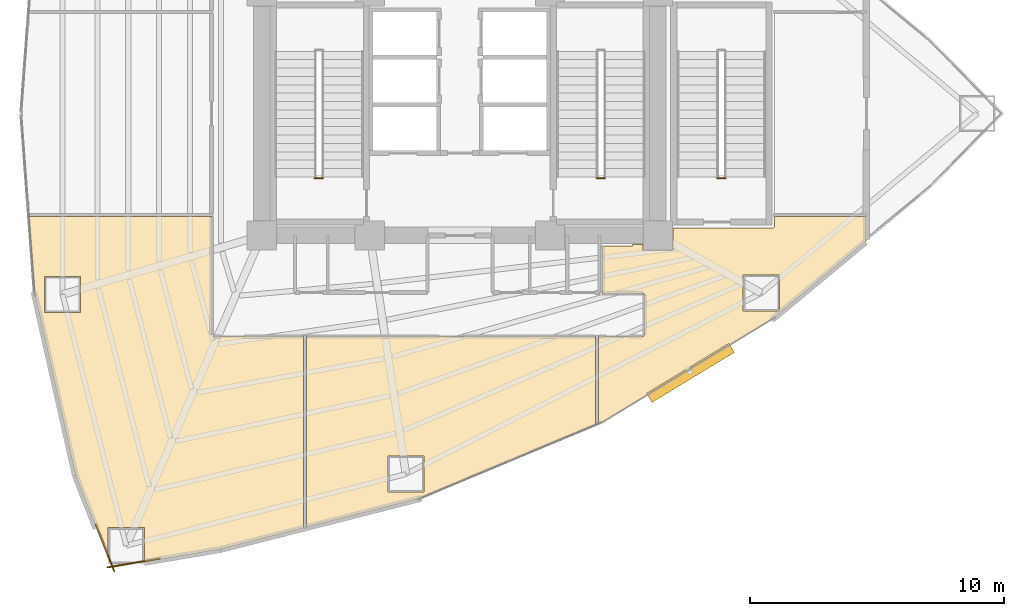
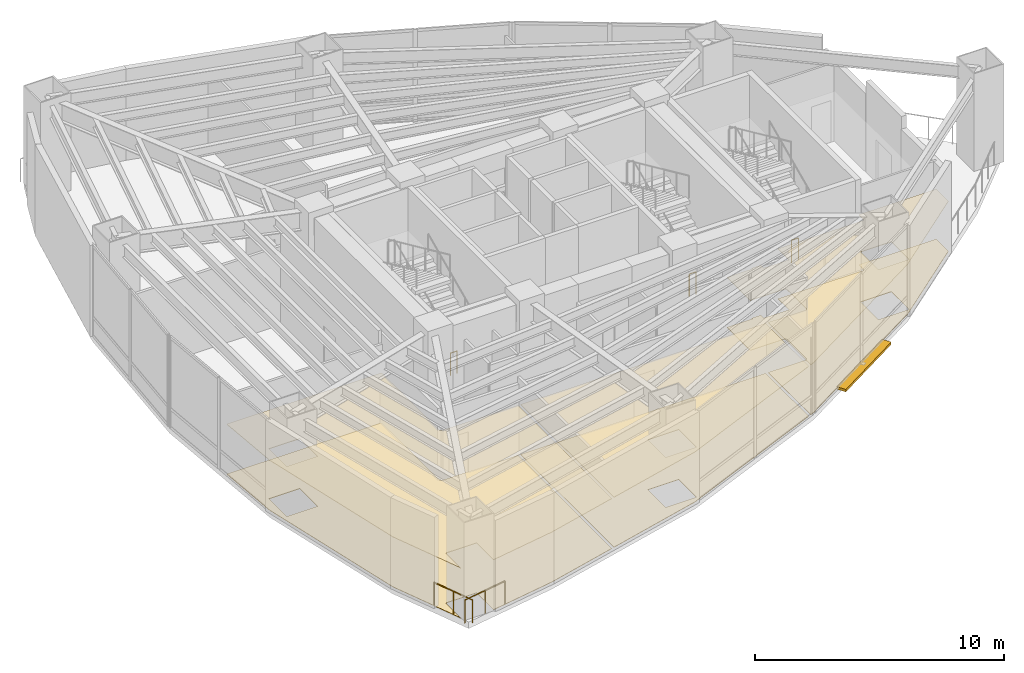
# One storey, part 17 of 18: 6 coverings, 5 railings, 1 shading device.
"""IFC4 building model written with IfcOpenShell, lengths in metres."""

from ifc_helpers import new_model, si_unit, direction, frame, origin, origin_2d, place, context, subcontext, project, spatial, polyline, rectangle, circle, outline, extrude, material, layer, layer_set, type_object, element, save


model = new_model("IFC4")

# Units and contexts
model_context = context("Model", 3, precision=1e-05, world=origin(), true_north=direction((0.0, 1.0)))
body_context = subcontext(model_context, "Body", "Model", "MODEL_VIEW")
ifc_project = project(units=[si_unit("LENGTHUNIT", "METRE"), si_unit("AREAUNIT", "SQUARE_METRE"), si_unit("VOLUMEUNIT", "CUBIC_METRE"), si_unit("PLANEANGLEUNIT", "RADIAN"), si_unit("MASSUNIT", "GRAM", prefix="KILO")], contexts=[model_context])

# Site, building, storey
site_placement = place(None, origin())
site = spatial("IfcSite", under=ifc_project, at=site_placement, CompositionType="ELEMENT")
building_placement = place(site_placement, origin())
building = spatial("IfcBuilding", under=site, at=building_placement, Name="Menara Vayukalpa", CompositionType="ELEMENT")
storey_placement = place(building_placement, frame((0.0, 0.0, 18.0)))
storey = spatial("IfcBuildingStorey", under=building, at=storey_placement, Name="L03", CompositionType="ELEMENT", Elevation=18.0)

# Coverings
ifc_material_1 = material(Name="Mineral Fibre Acoustic Ceiling Tile", Category="masonry")
ifc_layer_1 = layer(ifc_material_1, 0.02490234375)
ifc_layer_set_1 = layer_set([ifc_layer_1], Name="Mineral Fibre Acoustic Ceiling Tile")
covering_type_1 = type_object("IfcCoveringType", Name="COV-CLG1", PredefinedType="CEILING", material=ifc_layer_set_1)
covering_1_placement = place(storey_placement, frame((0.0, 0.0, 2.449951171875)))
element("IfcCovering", 1, at=covering_1_placement, inside=storey, type_object=covering_type_1, Name="L03 Commercial Kitchen and Servery Acoustic Ceiling", PredefinedType="CEILING", context=body_context, shape_type="SweptSolid", body=[
    extrude(outline(polyline([(10.4658203125, 7.744384765625), (10.465576171875, 7.7451171875), (10.46533203125, 7.745849609375), (8.862060546875, 14.871826171875), (8.86181640625, 14.873291015625), (8.632568359375, 17.92919921875), (8.632568359375, 17.93017578125), (8.6328125, 17.93115234375), (8.6328125, 17.93212890625), (8.633056640625, 17.93310546875), (8.63330078125, 17.93408203125), (8.6337890625, 17.934814453125), (8.634521484375, 17.935791015625), (8.635009765625, 17.936279296875), (8.635498046875, 17.93701171875), (8.63623046875, 17.937744140625), (8.63720703125, 17.9384765625), (8.637939453125, 17.93896484375), (8.638916015625, 17.939208984375), (8.6396484375, 17.939697265625), (8.640625, 17.939697265625), (8.6416015625, 17.93994140625), (8.642578125, 17.93994140625), (15.820068359375, 17.93994140625), (15.821044921875, 17.93994140625), (15.822021484375, 17.939697265625), (15.822998046875, 17.939697265625), (15.82373046875, 17.939208984375), (15.82470703125, 17.938720703125), (15.82568359375, 17.938232421875), (15.826416015625, 17.937744140625), (15.8271484375, 17.93701171875), (15.82763671875, 17.936279296875), (15.828369140625, 17.935546875), (15.828857421875, 17.934814453125), (15.8291015625, 17.933837890625), (15.82958984375, 17.932861328125), (15.829833984375, 17.931884765625), (15.830078125, 17.930908203125), (15.830078125, 17.929931640625), (15.830078125, 13.290283203125), (15.830322265625, 13.283203125), (15.831298828125, 13.2763671875), (15.8330078125, 13.269775390625), (15.835205078125, 13.26318359375), (15.838134765625, 13.257080078125), (15.841796875, 13.251220703125), (15.845947265625, 13.24560546875), (15.8505859375, 13.240478515625), (15.85546875, 13.236083984375), (15.861083984375, 13.231689453125), (15.866943359375, 13.228271484375), (15.873291015625, 13.225341796875), (15.879638671875, 13.222900390625), (15.88623046875, 13.22119140625), (15.893310546875, 13.220458984375), (15.900390625, 13.219970703125), (19.429931640625, 13.219970703125), (19.430908203125, 13.219970703125), (19.431884765625, 13.2197265625), (19.432861328125, 13.219482421875), (19.433837890625, 13.21923828125), (19.434814453125, 13.21875), (19.435546875, 13.21826171875), (19.436279296875, 13.2177734375), (19.43701171875, 13.217041015625), (19.437744140625, 13.21630859375), (19.438232421875, 13.215576171875), (19.438720703125, 13.214599609375), (19.439208984375, 13.2138671875), (19.439697265625, 13.212890625), (19.439697265625, 13.2119140625), (19.43994140625, 13.2109375), (19.43994140625, 13.2099609375), (19.43994140625, 5.681396484375), (19.43994140625, 5.680419921875), (19.439697265625, 5.679443359375), (19.439453125, 5.678466796875), (19.439208984375, 5.677490234375), (19.438720703125, 5.676513671875), (19.438232421875, 5.67578125), (19.4375, 5.675048828125), (19.43701171875, 5.67431640625), (19.43603515625, 5.673583984375), (19.435302734375, 5.673095703125), (19.434326171875, 5.672607421875), (19.433349609375, 5.672119140625), (19.4326171875, 5.671875), (16.171875, 4.84033203125), (16.171142578125, 4.840087890625), (13.17529296875, 4.33154296875), (13.17529296875, 5.696044921875), (11.745361328125, 5.696044921875), (11.745361328125, 4.486328125), (10.4658203125, 7.744384765625)]), holes=[polyline([(10.6669921875, 15.586181640625), (9.237060546875, 15.586181640625), (9.237060546875, 14.156005859375), (10.6669921875, 14.156005859375), (10.6669921875, 15.586181640625)])]), origin(), (0.0, 0.0, 1.0), 0.025146484375),
])
covering_2_placement = place(storey_placement, frame((0.0, 0.0, 2.449951171875)))
element("IfcCovering", 2, at=covering_2_placement, inside=storey, type_object=covering_type_1, Name="L03 Auditorium Pre Function Foyer Acoustic Ceiling", PredefinedType="CEILING", context=body_context, shape_type="SweptSolid", body=[
    extrude(outline(polyline([(19.572509765625, 5.70751953125), (19.571533203125, 5.70751953125), (19.570556640625, 5.707275390625), (19.569580078125, 5.707275390625), (19.568603515625, 5.70751953125), (19.567626953125, 5.70751953125), (19.56689453125, 5.707763671875), (19.56591796875, 5.708251953125), (19.565185546875, 5.70849609375), (19.564208984375, 5.708984375), (19.5634765625, 5.709716796875), (19.562744140625, 5.71044921875), (19.562255859375, 5.711181640625), (19.5615234375, 5.7119140625), (19.56103515625, 5.712646484375), (19.560791015625, 5.713623046875), (19.560302734375, 5.714599609375), (19.560302734375, 5.71533203125), (19.56005859375, 5.71630859375), (19.56005859375, 5.71728515625), (19.56005859375, 13.2099609375), (19.56005859375, 13.2109375), (19.560302734375, 13.2119140625), (19.560302734375, 13.212890625), (19.560791015625, 13.2138671875), (19.561279296875, 13.214599609375), (19.561767578125, 13.215576171875), (19.562255859375, 13.21630859375), (19.56298828125, 13.217041015625), (19.563720703125, 13.2177734375), (19.564453125, 13.21826171875), (19.565185546875, 13.21875), (19.566162109375, 13.21923828125), (19.567138671875, 13.219482421875), (19.568115234375, 13.2197265625), (19.569091796875, 13.219970703125), (19.570068359375, 13.219970703125), (30.929931640625, 13.219970703125), (30.930908203125, 13.219970703125), (30.931884765625, 13.2197265625), (30.932861328125, 13.219482421875), (30.933837890625, 13.21923828125), (30.934814453125, 13.21875), (30.935546875, 13.21826171875), (30.936279296875, 13.2177734375), (30.93701171875, 13.217041015625), (30.937744140625, 13.21630859375), (30.938232421875, 13.215576171875), (30.938720703125, 13.214599609375), (30.939208984375, 13.2138671875), (30.939697265625, 13.212890625), (30.939697265625, 13.2119140625), (30.93994140625, 13.2109375), (30.93994140625, 13.2099609375), (30.93994140625, 9.7509765625), (30.93994140625, 9.75), (30.939697265625, 9.7490234375), (30.939697265625, 9.748046875), (30.939208984375, 9.747314453125), (30.938720703125, 9.746337890625), (30.938232421875, 9.74560546875), (30.937744140625, 9.74462890625), (30.93701171875, 9.743896484375), (30.936279296875, 9.743408203125), (30.935546875, 9.74267578125), (30.934814453125, 9.7421875), (30.933837890625, 9.74169921875), (23.972412109375, 6.829833984375), (23.970947265625, 6.829345703125), (19.572509765625, 5.70751953125)]), holes=[polyline([(24.190673828125, 8.51513671875), (22.760498046875, 8.51513671875), (22.760498046875, 7.085205078125), (24.190673828125, 7.085205078125), (24.190673828125, 8.51513671875)])]), origin(), (0.0, 0.0, 1.0), 0.025146484375),
])
covering_3_placement = place(storey_placement, frame((0.0, 0.0, 2.449951171875)))
element("IfcCovering", 3, at=covering_3_placement, inside=storey, type_object=covering_type_1, Name="L03 Executive Seminar Hall Acoustic Ceiling", PredefinedType="CEILING", context=body_context, shape_type="SweptSolid", body=[
    extrude(outline(polyline([(31.072021484375, 9.7998046875), (31.071044921875, 9.799560546875), (31.070068359375, 9.799560546875), (31.069091796875, 9.799560546875), (31.068115234375, 9.7998046875), (31.067138671875, 9.7998046875), (31.066162109375, 9.80029296875), (31.065185546875, 9.80078125), (31.064453125, 9.80126953125), (31.063720703125, 9.8017578125), (31.06298828125, 9.802490234375), (31.062255859375, 9.802978515625), (31.061767578125, 9.803955078125), (31.061279296875, 9.8046875), (31.060791015625, 9.8056640625), (31.060302734375, 9.806640625), (31.060302734375, 9.8076171875), (31.06005859375, 9.80859375), (31.06005859375, 9.8095703125), (31.06005859375, 13.2099609375), (31.06005859375, 13.2109375), (31.060302734375, 13.2119140625), (31.060302734375, 13.212890625), (31.060791015625, 13.2138671875), (31.061279296875, 13.214599609375), (31.061767578125, 13.215576171875), (31.062255859375, 13.21630859375), (31.06298828125, 13.217041015625), (31.063720703125, 13.2177734375), (31.064453125, 13.21826171875), (31.065185546875, 13.21875), (31.066162109375, 13.21923828125), (31.067138671875, 13.219482421875), (31.068115234375, 13.2197265625), (31.069091796875, 13.219970703125), (31.070068359375, 13.219970703125), (32.7998046875, 13.219970703125), (32.806884765625, 13.220458984375), (32.813720703125, 13.22119140625), (32.8203125, 13.222900390625), (32.826904296875, 13.225341796875), (32.8330078125, 13.228271484375), (32.8388671875, 13.231689453125), (32.844482421875, 13.236083984375), (32.849609375, 13.240478515625), (32.85400390625, 13.24560546875), (32.858154296875, 13.251220703125), (32.86181640625, 13.257080078125), (32.86474609375, 13.26318359375), (32.866943359375, 13.269775390625), (32.86865234375, 13.2763671875), (32.86962890625, 13.283203125), (32.8701171875, 13.290283203125), (32.8701171875, 14.849609375), (32.86962890625, 14.856689453125), (32.86865234375, 14.86376953125), (32.866943359375, 14.870361328125), (32.86474609375, 14.876708984375), (32.86181640625, 14.883056640625), (32.858154296875, 14.888916015625), (32.85400390625, 14.89453125), (32.849609375, 14.8994140625), (32.844482421875, 14.904052734375), (32.8388671875, 14.908203125), (32.8330078125, 14.911865234375), (32.826904296875, 14.914794921875), (32.8203125, 14.9169921875), (32.813720703125, 14.918701171875), (32.806884765625, 14.919677734375), (32.7998046875, 14.919921875), (31.219970703125, 14.919921875), (31.218994140625, 14.919921875), (31.218017578125, 14.920166015625), (31.217041015625, 14.92041015625), (31.21630859375, 14.9208984375), (31.21533203125, 14.921142578125), (31.21435546875, 14.921630859375), (31.213623046875, 14.92236328125), (31.212890625, 14.9228515625), (31.21240234375, 14.923583984375), (31.211669921875, 14.92431640625), (31.211181640625, 14.92529296875), (31.210693359375, 14.92626953125), (31.21044921875, 14.927001953125), (31.210205078125, 14.927978515625), (31.2099609375, 14.928955078125), (31.2099609375, 14.929931640625), (31.2099609375, 16.780029296875), (31.2099609375, 16.781005859375), (31.210205078125, 16.781982421875), (31.21044921875, 16.782958984375), (31.210693359375, 16.78369140625), (31.211181640625, 16.78466796875), (31.211669921875, 16.78564453125), (31.21240234375, 16.786376953125), (31.212890625, 16.787109375), (31.213623046875, 16.78759765625), (31.21435546875, 16.788330078125), (31.21533203125, 16.788818359375), (31.21630859375, 16.789306640625), (31.217041015625, 16.78955078125), (31.218017578125, 16.789794921875), (31.218994140625, 16.7900390625), (31.219970703125, 16.7900390625), (32.389892578125, 16.7900390625), (32.389892578125, 16.85009765625), (32.81005859375, 16.85009765625), (32.81005859375, 16.610107421875), (33.989990234375, 16.610107421875), (33.989990234375, 17.5), (37.9296875, 17.5), (37.936767578125, 17.50048828125), (37.943603515625, 17.501220703125), (37.9501953125, 17.5029296875), (37.956787109375, 17.50537109375), (37.962890625, 17.50830078125), (37.96875, 17.51171875), (37.974609375, 17.51611328125), (37.9794921875, 17.5205078125), (37.98388671875, 17.525390625), (37.98828125, 17.53125), (37.99169921875, 17.537109375), (37.99462890625, 17.543212890625), (37.9970703125, 17.5498046875), (37.998779296875, 17.556396484375), (37.99951171875, 17.563232421875), (38.0, 17.5703125), (38.0, 17.929931640625), (38.0, 17.930908203125), (38.000244140625, 17.931884765625), (38.00048828125, 17.932861328125), (38.000732421875, 17.933837890625), (38.001220703125, 17.934814453125), (38.001708984375, 17.935546875), (38.002197265625, 17.936279296875), (38.0029296875, 17.93701171875), (38.003662109375, 17.937744140625), (38.00439453125, 17.938232421875), (38.00537109375, 17.938720703125), (38.006103515625, 17.939208984375), (38.007080078125, 17.939697265625), (38.008056640625, 17.939697265625), (38.009033203125, 17.93994140625), (38.010009765625, 17.93994140625), (41.589111328125, 17.93994140625), (41.590087890625, 17.93994140625), (41.59130859375, 17.939697265625), (41.592041015625, 17.939697265625), (41.593017578125, 17.939208984375), (41.593994140625, 17.938720703125), (41.5947265625, 17.938232421875), (41.595458984375, 17.937744140625), (41.59619140625, 17.93701171875), (41.596923828125, 17.936279296875), (41.597412109375, 17.935546875), (41.597900390625, 17.934814453125), (41.598388671875, 17.933837890625), (41.598876953125, 17.932861328125), (41.59912109375, 17.931884765625), (41.59912109375, 17.930908203125), (41.59912109375, 17.929931640625), (41.59912109375, 16.9736328125), (41.59912109375, 16.97265625), (41.59912109375, 16.9716796875), (41.598876953125, 16.970703125), (41.598388671875, 16.9697265625), (41.597900390625, 16.968994140625), (41.597412109375, 16.968017578125), (41.596923828125, 16.96728515625), (41.59619140625, 16.966552734375), (41.595703125, 16.9658203125), (37.968017578125, 13.95751953125), (37.966796875, 13.956787109375), (31.2373046875, 9.868896484375), (31.23681640625, 9.868408203125), (31.236083984375, 9.8681640625), (31.073974609375, 9.80029296875), (31.072998046875, 9.7998046875), (31.072021484375, 9.7998046875)]), holes=[polyline([(38.18896484375, 15.64404296875), (36.759033203125, 15.64404296875), (36.759033203125, 14.214111328125), (38.18896484375, 14.214111328125), (38.18896484375, 15.64404296875)])]), origin(), (0.0, 0.0, 1.0), 0.025146484375),
])
ifc_material_2 = material(Name="Porcelain Stoneware Floor Tile", Category="masonry")
ifc_layer_2 = layer(ifc_material_2, 0.02001953125)
ifc_layer_set_2 = layer_set([ifc_layer_2], Name="Porcelain Stoneware Floor Tile")
covering_type_2 = type_object("IfcCoveringType", Name="COV-FLR1", PredefinedType="FLOORING", material=ifc_layer_set_2)
covering_4_placement = place(storey_placement, origin())
element("IfcCovering", 4, at=covering_4_placement, inside=storey, type_object=covering_type_2, Name="L03 Commercial Kitchen and Servery Porcelain Flooring", PredefinedType="FLOORING", context=body_context, shape_type="SweptSolid", body=[
    extrude(outline(polyline([(10.4658203125, 7.744384765625), (10.465576171875, 7.7451171875), (10.46533203125, 7.745849609375), (8.862060546875, 14.871826171875), (8.86181640625, 14.873291015625), (8.632568359375, 17.92919921875), (8.632568359375, 17.93017578125), (8.6328125, 17.93115234375), (8.6328125, 17.93212890625), (8.633056640625, 17.93310546875), (8.63330078125, 17.93408203125), (8.6337890625, 17.934814453125), (8.634521484375, 17.935791015625), (8.635009765625, 17.936279296875), (8.635498046875, 17.93701171875), (8.63623046875, 17.937744140625), (8.63720703125, 17.9384765625), (8.637939453125, 17.93896484375), (8.638916015625, 17.939208984375), (8.6396484375, 17.939697265625), (8.640625, 17.939697265625), (8.6416015625, 17.93994140625), (8.642578125, 17.93994140625), (15.820068359375, 17.93994140625), (15.821044921875, 17.93994140625), (15.822021484375, 17.939697265625), (15.822998046875, 17.939697265625), (15.82373046875, 17.939208984375), (15.82470703125, 17.938720703125), (15.82568359375, 17.938232421875), (15.826416015625, 17.937744140625), (15.8271484375, 17.93701171875), (15.82763671875, 17.936279296875), (15.828369140625, 17.935546875), (15.828857421875, 17.934814453125), (15.8291015625, 17.933837890625), (15.82958984375, 17.932861328125), (15.829833984375, 17.931884765625), (15.830078125, 17.930908203125), (15.830078125, 17.929931640625), (15.830078125, 13.290283203125), (15.830322265625, 13.283203125), (15.831298828125, 13.2763671875), (15.8330078125, 13.269775390625), (15.835205078125, 13.26318359375), (15.838134765625, 13.257080078125), (15.841796875, 13.251220703125), (15.845947265625, 13.24560546875), (15.8505859375, 13.240478515625), (15.85546875, 13.236083984375), (15.861083984375, 13.231689453125), (15.866943359375, 13.228271484375), (15.873291015625, 13.225341796875), (15.879638671875, 13.222900390625), (15.88623046875, 13.22119140625), (15.893310546875, 13.220458984375), (15.900390625, 13.219970703125), (19.429931640625, 13.219970703125), (19.430908203125, 13.219970703125), (19.431884765625, 13.2197265625), (19.432861328125, 13.219482421875), (19.433837890625, 13.21923828125), (19.434814453125, 13.21875), (19.435546875, 13.21826171875), (19.436279296875, 13.2177734375), (19.43701171875, 13.217041015625), (19.437744140625, 13.21630859375), (19.438232421875, 13.215576171875), (19.438720703125, 13.214599609375), (19.439208984375, 13.2138671875), (19.439697265625, 13.212890625), (19.439697265625, 13.2119140625), (19.43994140625, 13.2109375), (19.43994140625, 13.2099609375), (19.43994140625, 5.681396484375), (19.43994140625, 5.680419921875), (19.439697265625, 5.679443359375), (19.439453125, 5.678466796875), (19.439208984375, 5.677490234375), (19.438720703125, 5.676513671875), (19.438232421875, 5.67578125), (19.4375, 5.675048828125), (19.43701171875, 5.67431640625), (19.43603515625, 5.673583984375), (19.435302734375, 5.673095703125), (19.434326171875, 5.672607421875), (19.433349609375, 5.672119140625), (19.4326171875, 5.671875), (16.171875, 4.84033203125), (16.171142578125, 4.840087890625), (13.17529296875, 4.33154296875), (13.17529296875, 5.696044921875), (11.745361328125, 5.696044921875), (11.745361328125, 4.486328125), (10.4658203125, 7.744384765625)]), holes=[polyline([(10.6669921875, 15.586181640625), (9.237060546875, 15.586181640625), (9.237060546875, 14.156005859375), (10.6669921875, 14.156005859375), (10.6669921875, 15.586181640625)])]), origin(), (0.0, 0.0, 1.0), 0.02001953125),
])
covering_5_placement = place(storey_placement, origin())
element("IfcCovering", 5, at=covering_5_placement, inside=storey, type_object=covering_type_2, Name="L03 Auditorium Pre Function Foyer Porcelain Flooring", PredefinedType="FLOORING", context=body_context, shape_type="SweptSolid", body=[
    extrude(outline(polyline([(19.572509765625, 5.70751953125), (19.571533203125, 5.70751953125), (19.570556640625, 5.707275390625), (19.569580078125, 5.707275390625), (19.568603515625, 5.70751953125), (19.567626953125, 5.70751953125), (19.56689453125, 5.707763671875), (19.56591796875, 5.708251953125), (19.565185546875, 5.70849609375), (19.564208984375, 5.708984375), (19.5634765625, 5.709716796875), (19.562744140625, 5.71044921875), (19.562255859375, 5.711181640625), (19.5615234375, 5.7119140625), (19.56103515625, 5.712646484375), (19.560791015625, 5.713623046875), (19.560302734375, 5.714599609375), (19.560302734375, 5.71533203125), (19.56005859375, 5.71630859375), (19.56005859375, 5.71728515625), (19.56005859375, 13.2099609375), (19.56005859375, 13.2109375), (19.560302734375, 13.2119140625), (19.560302734375, 13.212890625), (19.560791015625, 13.2138671875), (19.561279296875, 13.214599609375), (19.561767578125, 13.215576171875), (19.562255859375, 13.21630859375), (19.56298828125, 13.217041015625), (19.563720703125, 13.2177734375), (19.564453125, 13.21826171875), (19.565185546875, 13.21875), (19.566162109375, 13.21923828125), (19.567138671875, 13.219482421875), (19.568115234375, 13.2197265625), (19.569091796875, 13.219970703125), (19.570068359375, 13.219970703125), (30.929931640625, 13.219970703125), (30.930908203125, 13.219970703125), (30.931884765625, 13.2197265625), (30.932861328125, 13.219482421875), (30.933837890625, 13.21923828125), (30.934814453125, 13.21875), (30.935546875, 13.21826171875), (30.936279296875, 13.2177734375), (30.93701171875, 13.217041015625), (30.937744140625, 13.21630859375), (30.938232421875, 13.215576171875), (30.938720703125, 13.214599609375), (30.939208984375, 13.2138671875), (30.939697265625, 13.212890625), (30.939697265625, 13.2119140625), (30.93994140625, 13.2109375), (30.93994140625, 13.2099609375), (30.93994140625, 9.7509765625), (30.93994140625, 9.75), (30.939697265625, 9.7490234375), (30.939697265625, 9.748046875), (30.939208984375, 9.747314453125), (30.938720703125, 9.746337890625), (30.938232421875, 9.74560546875), (30.937744140625, 9.74462890625), (30.93701171875, 9.743896484375), (30.936279296875, 9.743408203125), (30.935546875, 9.74267578125), (30.934814453125, 9.7421875), (30.933837890625, 9.74169921875), (23.972412109375, 6.829833984375), (23.970947265625, 6.829345703125), (19.572509765625, 5.70751953125)]), holes=[polyline([(24.190673828125, 8.51513671875), (22.760498046875, 8.51513671875), (22.760498046875, 7.085205078125), (24.190673828125, 7.085205078125), (24.190673828125, 8.51513671875)])]), origin(), (0.0, 0.0, 1.0), 0.02001953125),
])
covering_6_placement = place(storey_placement, origin())
element("IfcCovering", 6, at=covering_6_placement, inside=storey, type_object=covering_type_2, Name="L03 Executive Seminar Hall Porcelain Flooring", PredefinedType="FLOORING", context=body_context, shape_type="SweptSolid", body=[
    extrude(outline(polyline([(31.072021484375, 9.7998046875), (31.071044921875, 9.799560546875), (31.070068359375, 9.799560546875), (31.069091796875, 9.799560546875), (31.068115234375, 9.7998046875), (31.067138671875, 9.7998046875), (31.066162109375, 9.80029296875), (31.065185546875, 9.80078125), (31.064453125, 9.80126953125), (31.063720703125, 9.8017578125), (31.06298828125, 9.802490234375), (31.062255859375, 9.802978515625), (31.061767578125, 9.803955078125), (31.061279296875, 9.8046875), (31.060791015625, 9.8056640625), (31.060302734375, 9.806640625), (31.060302734375, 9.8076171875), (31.06005859375, 9.80859375), (31.06005859375, 9.8095703125), (31.06005859375, 13.2099609375), (31.06005859375, 13.2109375), (31.060302734375, 13.2119140625), (31.060302734375, 13.212890625), (31.060791015625, 13.2138671875), (31.061279296875, 13.214599609375), (31.061767578125, 13.215576171875), (31.062255859375, 13.21630859375), (31.06298828125, 13.217041015625), (31.063720703125, 13.2177734375), (31.064453125, 13.21826171875), (31.065185546875, 13.21875), (31.066162109375, 13.21923828125), (31.067138671875, 13.219482421875), (31.068115234375, 13.2197265625), (31.069091796875, 13.219970703125), (31.070068359375, 13.219970703125), (32.7998046875, 13.219970703125), (32.806884765625, 13.220458984375), (32.813720703125, 13.22119140625), (32.8203125, 13.222900390625), (32.826904296875, 13.225341796875), (32.8330078125, 13.228271484375), (32.8388671875, 13.231689453125), (32.844482421875, 13.236083984375), (32.849609375, 13.240478515625), (32.85400390625, 13.24560546875), (32.858154296875, 13.251220703125), (32.86181640625, 13.257080078125), (32.86474609375, 13.26318359375), (32.866943359375, 13.269775390625), (32.86865234375, 13.2763671875), (32.86962890625, 13.283203125), (32.8701171875, 13.290283203125), (32.8701171875, 14.849609375), (32.86962890625, 14.856689453125), (32.86865234375, 14.86376953125), (32.866943359375, 14.870361328125), (32.86474609375, 14.876708984375), (32.86181640625, 14.883056640625), (32.858154296875, 14.888916015625), (32.85400390625, 14.89453125), (32.849609375, 14.8994140625), (32.844482421875, 14.904052734375), (32.8388671875, 14.908203125), (32.8330078125, 14.911865234375), (32.826904296875, 14.914794921875), (32.8203125, 14.9169921875), (32.813720703125, 14.918701171875), (32.806884765625, 14.919677734375), (32.7998046875, 14.919921875), (31.219970703125, 14.919921875), (31.218994140625, 14.919921875), (31.218017578125, 14.920166015625), (31.217041015625, 14.92041015625), (31.21630859375, 14.9208984375), (31.21533203125, 14.921142578125), (31.21435546875, 14.921630859375), (31.213623046875, 14.92236328125), (31.212890625, 14.9228515625), (31.21240234375, 14.923583984375), (31.211669921875, 14.92431640625), (31.211181640625, 14.92529296875), (31.210693359375, 14.92626953125), (31.21044921875, 14.927001953125), (31.210205078125, 14.927978515625), (31.2099609375, 14.928955078125), (31.2099609375, 14.929931640625), (31.2099609375, 16.780029296875), (31.2099609375, 16.781005859375), (31.210205078125, 16.781982421875), (31.21044921875, 16.782958984375), (31.210693359375, 16.78369140625), (31.211181640625, 16.78466796875), (31.211669921875, 16.78564453125), (31.21240234375, 16.786376953125), (31.212890625, 16.787109375), (31.213623046875, 16.78759765625), (31.21435546875, 16.788330078125), (31.21533203125, 16.788818359375), (31.21630859375, 16.789306640625), (31.217041015625, 16.78955078125), (31.218017578125, 16.789794921875), (31.218994140625, 16.7900390625), (31.219970703125, 16.7900390625), (32.389892578125, 16.7900390625), (32.389892578125, 16.85009765625), (32.81005859375, 16.85009765625), (32.81005859375, 16.610107421875), (33.989990234375, 16.610107421875), (33.989990234375, 17.5), (37.9296875, 17.5), (37.936767578125, 17.50048828125), (37.943603515625, 17.501220703125), (37.9501953125, 17.5029296875), (37.956787109375, 17.50537109375), (37.962890625, 17.50830078125), (37.96875, 17.51171875), (37.974609375, 17.51611328125), (37.9794921875, 17.5205078125), (37.98388671875, 17.525390625), (37.98828125, 17.53125), (37.99169921875, 17.537109375), (37.99462890625, 17.543212890625), (37.9970703125, 17.5498046875), (37.998779296875, 17.556396484375), (37.99951171875, 17.563232421875), (38.0, 17.5703125), (38.0, 17.929931640625), (38.0, 17.930908203125), (38.000244140625, 17.931884765625), (38.00048828125, 17.932861328125), (38.000732421875, 17.933837890625), (38.001220703125, 17.934814453125), (38.001708984375, 17.935546875), (38.002197265625, 17.936279296875), (38.0029296875, 17.93701171875), (38.003662109375, 17.937744140625), (38.00439453125, 17.938232421875), (38.00537109375, 17.938720703125), (38.006103515625, 17.939208984375), (38.007080078125, 17.939697265625), (38.008056640625, 17.939697265625), (38.009033203125, 17.93994140625), (38.010009765625, 17.93994140625), (41.589111328125, 17.93994140625), (41.590087890625, 17.93994140625), (41.59130859375, 17.939697265625), (41.592041015625, 17.939697265625), (41.593017578125, 17.939208984375), (41.593994140625, 17.938720703125), (41.5947265625, 17.938232421875), (41.595458984375, 17.937744140625), (41.59619140625, 17.93701171875), (41.596923828125, 17.936279296875), (41.597412109375, 17.935546875), (41.597900390625, 17.934814453125), (41.598388671875, 17.933837890625), (41.598876953125, 17.932861328125), (41.59912109375, 17.931884765625), (41.59912109375, 17.930908203125), (41.59912109375, 17.929931640625), (41.59912109375, 16.9736328125), (41.59912109375, 16.97265625), (41.59912109375, 16.9716796875), (41.598876953125, 16.970703125), (41.598388671875, 16.9697265625), (41.597900390625, 16.968994140625), (41.597412109375, 16.968017578125), (41.596923828125, 16.96728515625), (41.59619140625, 16.966552734375), (41.595703125, 16.9658203125), (37.968017578125, 13.95751953125), (37.966796875, 13.956787109375), (31.2373046875, 9.868896484375), (31.23681640625, 9.868408203125), (31.236083984375, 9.8681640625), (31.073974609375, 9.80029296875), (31.072998046875, 9.7998046875), (31.072021484375, 9.7998046875)]), holes=[polyline([(38.18896484375, 15.64404296875), (36.759033203125, 15.64404296875), (36.759033203125, 14.214111328125), (38.18896484375, 14.214111328125), (38.18896484375, 15.64404296875)])]), origin(), (0.0, 0.0, 1.0), 0.02001953125),
])

# Railings
ifc_material_3 = material(Name="Laminated Glass and Stainless Steel 316 Guardrail", Category="steel")
railing_type_1 = type_object("IfcRailingType", Name="RLG-EXT115", PredefinedType="GUARDRAIL", material=ifc_material_3)
railing_1_placement = place(storey_placement, frame((11.263916015625, 5.82177734375, 0.0)))
element("IfcRailing", 7, at=railing_1_placement, inside=storey, type_object=railing_type_1, Name="L03 Column Corner Spandrel Guardrail 12-1", PredefinedType="GUARDRAIL", context=body_context, shape_type="SweptSolid", body=[
    extrude(circle(Radius=0.02392578125, at=origin_2d()), frame((0.0, 0.0, 1.1259765625), z_axis=(0.365580158762, -0.930779859859, 0.0), x_axis=(0.930779859859, 0.365580158762, 0.0)), (0.0, 0.0, 1.0), 1.9873046875),
    extrude(circle(Radius=0.02099609375, at=origin_2d()), origin(), (0.0, 0.0, 1.0), 1.101806640625),
    extrude(circle(Radius=0.02099609375, at=origin_2d()), frame((0.36328125, -0.9248046875, 0.0)), (0.0, 0.0, 1.0), 1.101806640625),
    extrude(circle(Radius=0.02099609375, at=origin_2d()), frame((0.7265625, -1.849853515625, 0.0)), (0.0, 0.0, 1.0), 1.101806640625),
])
railing_2_placement = place(storey_placement, frame((11.71923828125, 4.125, 0.0)))
element("IfcRailing", 8, at=railing_2_placement, inside=storey, type_object=railing_type_1, Name="L03 Column Corner Spandrel Guardrail 13-1", PredefinedType="GUARDRAIL", context=body_context, shape_type="SweptSolid", body=[
    extrude(circle(Radius=0.02392578125, at=origin_2d()), frame((0.0, 0.0, 1.1259765625), z_axis=(0.985904350491, 0.167309927029, 0.0), x_axis=(-0.167309927029, 0.985904350491, 0.0)), (0.0, 0.0, 1.0), 2.093994140625),
    extrude(circle(Radius=0.02099609375, at=origin_2d()), origin(), (0.0, 0.0, 1.0), 1.101806640625),
    extrude(circle(Radius=0.02099609375, at=origin_2d()), frame((1.0322265625, 0.17529296875, 0.0)), (0.0, 0.0, 1.0), 1.101806640625),
    extrude(circle(Radius=0.02099609375, at=origin_2d()), frame((2.064453125, 0.350341796875, 0.0)), (0.0, 0.0, 1.0), 1.101806640625),
])
ifc_material_4 = material(Name="Powder-Coated Galvanised Steel Guardrail", Category="steel")
railing_type_2 = type_object("IfcRailingType", Name="RLG-STG110", PredefinedType="GUARDRAIL", material=ifc_material_4)
for number, where, name in (
    (9, (20.2099609375, 19.449951171875, 0.0), "L03 ST-1 stair guard 4"),
    (10, (31.31005859375, 19.449951171875, 0.0), "L03 ST-2 stair guard 4"),
    (11, (36.06005859375, 19.449951171875, 0.0), "L03 ST-3 stair guard 4"),
):
    element("IfcRailing", number, at=place(storey_placement, frame(where)), inside=storey, type_object=railing_type_2, Name=name, PredefinedType="GUARDRAIL", context=body_context, shape_type="SweptSolid", body=[
        extrude(circle(Radius=0.02392578125, at=origin_2d()), frame((0.0, 0.0, 1.09619140625), z_axis=(-1.0, 0.0, 0.0), x_axis=(0.0, -1.0, 0.0)), (0.0, 0.0, 1.0), 0.320068359375),
        extrude(circle(Radius=0.02099609375, at=origin_2d()), origin(), (0.0, 0.0, 1.0), 1.072021484375),
        extrude(circle(Radius=0.02099609375, at=origin_2d()), frame((-0.320068359375, 0.0, 0.0)), (0.0, 0.0, 1.0), 1.072021484375),
    ])

# Shading device
ifc_material_5 = material(Name="Glazed Terracotta Ceramic Baguette Extrusion", Category="masonry")
ifc_layer_3 = layer(ifc_material_5, 0.1201171875)
ifc_layer_set_3 = layer_set([ifc_layer_3], Name="Glazed Terracotta Ceramic Baguette Extrusion")
shading_device_type = type_object("IfcShadingDeviceType", Name="SHD-SS1", PredefinedType="USERDEFINED", material=ifc_layer_set_3)
shading_device_placement = place(storey_placement, frame((34.679931640625, 11.784423828125, -0.10009765625), z_axis=(0.0, 0.0, 1.0), x_axis=(0.85466730962, 0.519176068272, 0.0)))
element("IfcShadingDevice", 12, at=shading_device_placement, inside=storey, type_object=shading_device_type, Name="L03 Horizontal Terracotta Sunshade Band 17", ObjectType="SUNSHADE", PredefinedType="USERDEFINED", context=body_context, shape_type="SweptSolid", body=[
    extrude(rectangle(XDim=3.800048828125, YDim=0.419921875, at=origin_2d()), origin(), (0.0, 0.0, 1.0), 0.1201171875),
])

save(model, "model.ifc")
